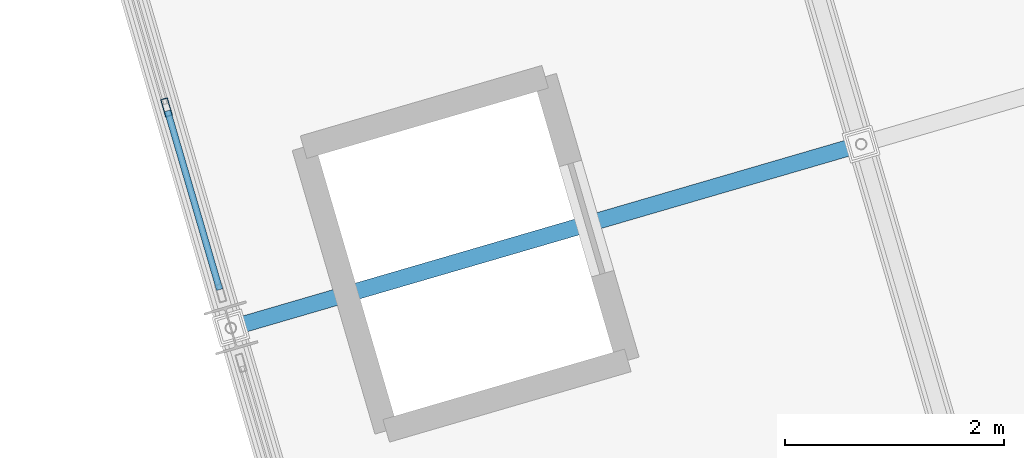
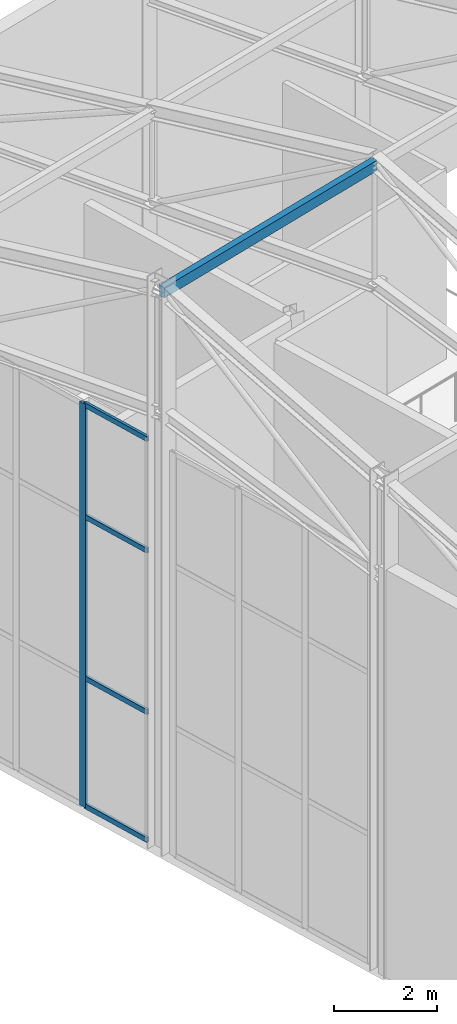
# One storey, part 140 of 248: 6 members, 1 element without a shape of its own.
"""IFC4 building model written with IfcOpenShell, lengths in metres."""

from ifc_helpers import new_model, si_unit, direction, frame, origin, origin_2d, place, context, subcontext, project, spatial, hollow_rectangle, extrude, material, layer, layer_set, material_profile, profile_set, type_object, element, aggregate, save


model = new_model("IFC4")

# Units and contexts
model_context = context("Model", 3, precision=1e-05, world=origin(), true_north=direction((0.0, 1.0)))
body_context = subcontext(model_context, "Body", "Model", "MODEL_VIEW")
ifc_project = project(units=[si_unit("LENGTHUNIT", "METRE"), si_unit("AREAUNIT", "SQUARE_METRE"), si_unit("VOLUMEUNIT", "CUBIC_METRE"), si_unit("PLANEANGLEUNIT", "RADIAN"), si_unit("MASSUNIT", "GRAM", prefix="KILO")], contexts=[model_context])

# Site, building, storey
site_placement = place(None, origin())
site = spatial("IfcSite", under=ifc_project, at=site_placement, CompositionType="ELEMENT")
building_placement = place(site_placement, origin())
building = spatial("IfcBuilding", under=site, at=building_placement, Name="Canggui Botanical Conservatory", CompositionType="ELEMENT")
storey_placement = place(building_placement, frame((0.0, 0.0, 5.39990234375)))
storey = spatial("IfcBuildingStorey", under=building, at=storey_placement, Name="L02", CompositionType="ELEMENT", Elevation=5.39990234375)

# Curtain wall, members
ifc_material_1 = material(Name="Thermally Broken Aluminium", Category="aluminium")
ifc_layer = layer(ifc_material_1, 0.1650390625, Name="Thermally Broken Aluminium", Category="aluminium")
ifc_layer_set = layer_set([ifc_layer], Name="Thermally Broken Aluminium")
curtain_wall_type = type_object("IfcCurtainWallType", Name="CW-UNIT-B", PredefinedType="USERDEFINED", material=ifc_layer_set)
curtain_wall_placement = place(storey_placement, origin())
curtain_wall = element("IfcCurtainWall", 1, at=curtain_wall_placement, inside=storey, type_object=curtain_wall_type, Name="Facade Curtain Wall CW-AUD-FOYER-L02-2", ObjectType="UNITISED CURTAIN WALL", PredefinedType="USERDEFINED")
ifc_material_profile_1 = material_profile(ifc_material_1, hollow_rectangle(XDim=0.06494140625, YDim=0.1650390625, WallThickness=0.00390625, at=origin_2d()), Name="CWM 65x165x4")
ifc_profile_set_1 = profile_set([ifc_material_profile_1], Name="Thermally Broken Aluminium")
member_type_1 = type_object("IfcMemberType", Name="CWM-02", PredefinedType="MULLION", material=ifc_profile_set_1)
member_1_placement = place(storey_placement, frame((62.052001953125, 103.535888671875, 0.0), z_axis=(0.0, 0.0, 1.0), x_axis=(-0.960000000002, -0.279999999995, 0.0)))
member_1 = element("IfcMember", 2, at=member_1_placement, type_object=member_type_1, Name="CW-02 mullion 2", PredefinedType="MULLION", context=body_context, shape_type="SweptSolid", body=[
    extrude(hollow_rectangle(XDim=0.06494140625, YDim=0.1650390625, WallThickness=0.00390625, at=origin_2d()), origin(), (0.0, 0.0, 1.0), 9.60009765625),
])
ifc_material_profile_2 = material_profile(ifc_material_1, hollow_rectangle(XDim=0.06005859375, YDim=0.1201171875, WallThickness=0.00341796875, at=origin_2d()), Name="CWT 60x120x3.5")
ifc_profile_set_2 = profile_set([ifc_material_profile_2], Name="Thermally Broken Aluminium")
member_type_2 = type_object("IfcMemberType", Name="CWT-02", PredefinedType="USERDEFINED", material=ifc_profile_set_2)
member_2_placement = place(storey_placement, frame((62.537841796875, 101.870361328125, 0.030029296875), z_axis=(-0.280038542714, 0.959988757536, 0.0), x_axis=(-0.959988757536, -0.280038542714, 0.0)))
member_2 = element("IfcMember", 3, at=member_2_placement, type_object=member_type_2, Name="CW-02 transom 1.1", ObjectType="TRANSOM", PredefinedType="USERDEFINED", context=body_context, shape_type="SweptSolid", body=[
    extrude(hollow_rectangle(XDim=0.06005859375, YDim=0.1201171875, WallThickness=0.00341796875, at=origin_2d()), origin(), (0.0, 0.0, 1.0), 1.70263671875),
])
member_3_placement = place(storey_placement, frame((62.537841796875, 101.870361328125, 3.072021484375), z_axis=(-0.280038542714, 0.959988757536, 0.0), x_axis=(-0.959988757536, -0.280038542714, 0.0)))
member_3 = element("IfcMember", 4, at=member_3_placement, type_object=member_type_2, Name="CW-02 transom 1.2", ObjectType="TRANSOM", PredefinedType="USERDEFINED", context=body_context, shape_type="SweptSolid", body=[
    extrude(hollow_rectangle(XDim=0.06005859375, YDim=0.1201171875, WallThickness=0.00341796875, at=origin_2d()), origin(), (0.0, 0.0, 1.0), 1.70263671875),
])
member_4_placement = place(storey_placement, frame((62.537841796875, 101.870361328125, 6.912109375), z_axis=(-0.280038542714, 0.959988757536, 0.0), x_axis=(-0.959988757536, -0.280038542714, 0.0)))
member_4 = element("IfcMember", 5, at=member_4_placement, type_object=member_type_2, Name="CW-02 transom 1.3", ObjectType="TRANSOM", PredefinedType="USERDEFINED", context=body_context, shape_type="SweptSolid", body=[
    extrude(hollow_rectangle(XDim=0.06005859375, YDim=0.1201171875, WallThickness=0.00341796875, at=origin_2d()), origin(), (0.0, 0.0, 1.0), 1.70263671875),
])
member_5_placement = place(storey_placement, frame((62.537841796875, 101.870361328125, 9.570068359375), z_axis=(-0.280038542714, 0.959988757536, 0.0), x_axis=(-0.959988757536, -0.280038542714, 0.0)))
member_5 = element("IfcMember", 6, at=member_5_placement, type_object=member_type_2, Name="CW-02 transom 1.4", ObjectType="TRANSOM", PredefinedType="USERDEFINED", context=body_context, shape_type="SweptSolid", body=[
    extrude(hollow_rectangle(XDim=0.06005859375, YDim=0.1201171875, WallThickness=0.00341796875, at=origin_2d()), origin(), (0.0, 0.0, 1.0), 1.70263671875),
])
aggregate(curtain_wall, [member_1, member_2, member_3, member_4, member_5])

# Member
ifc_material_2 = material(Name="Steel Q355B", Category="steel")
ifc_material_profile_3 = material_profile(ifc_material_2, hollow_rectangle(XDim=0.14990234375, YDim=0.25, WallThickness=0.008056640625, at=origin_2d()), Name="RHS 150x250x8")
ifc_profile_set_3 = profile_set([ifc_material_profile_3], Name="Steel Q355B")
member_type_3 = type_object("IfcMemberType", Name="MEM-PUR01", PredefinedType="PURLIN", material=ifc_profile_set_3)
member_6_placement = place(storey_placement, frame((62.639892578125, 101.52001953125, 13.25), z_axis=(0.960003190047, 0.279989062464, 0.0), x_axis=(-0.279989062464, 0.960003190047, 0.0)))
element("IfcMember", 7, at=member_6_placement, inside=storey, type_object=member_type_3, Name="Auditorium Roof Purlin 1-2", PredefinedType="PURLIN", context=body_context, shape_type="SweptSolid", body=[
    extrude(hollow_rectangle(XDim=0.14990234375, YDim=0.25, WallThickness=0.008056640625, at=origin_2d()), origin(), (0.0, 0.0, 1.0), 6.0),
])

save(model, "model.ifc")
